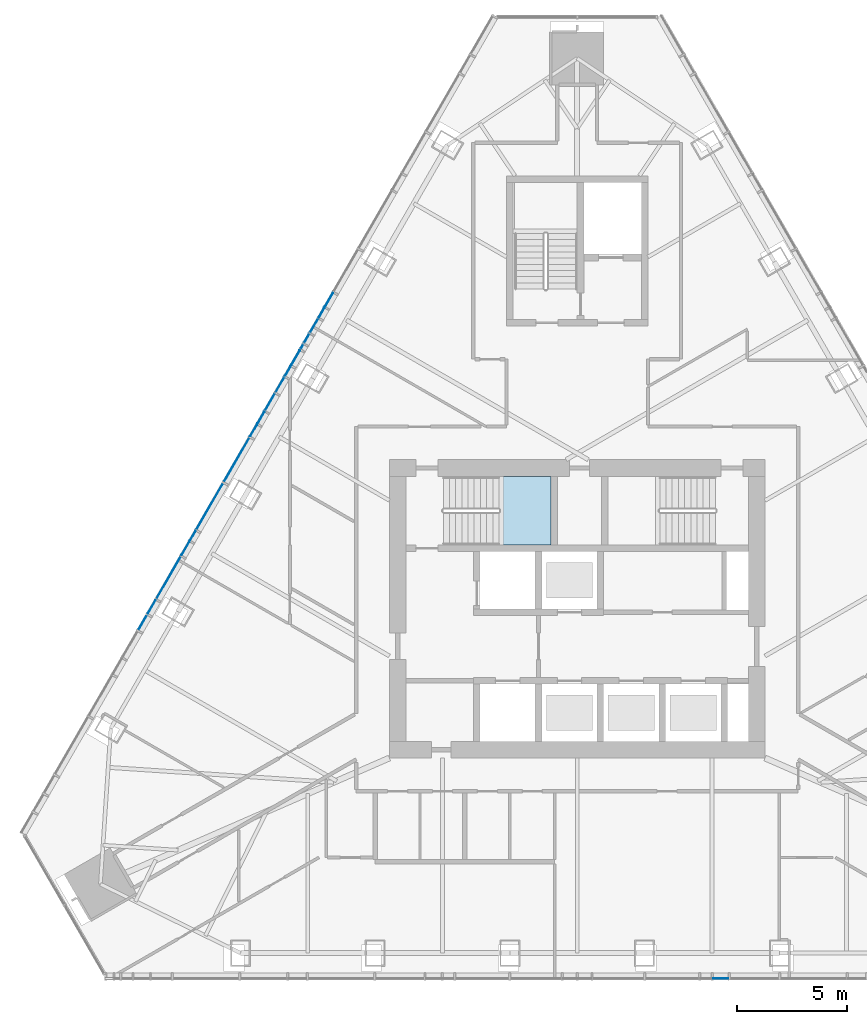
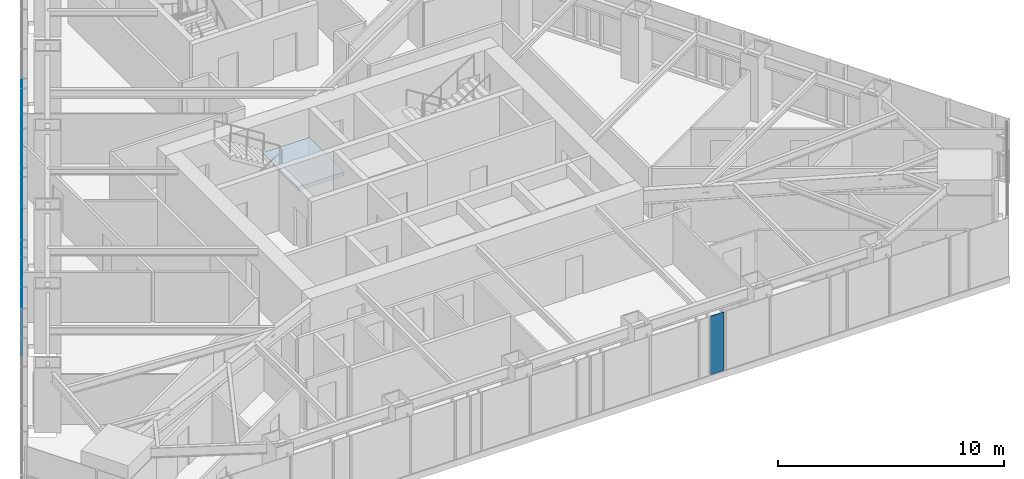
# One storey, part 10 of 18: 22 plates, 1 slab, 3 elements without a shape of their own.
"""IFC4 building model written with IfcOpenShell, lengths in metres."""

from ifc_helpers import new_model, si_unit, direction, frame, origin, place, context, subcontext, project, spatial, polyline, outline, extrude, material, layer, layer_set, type_object, element, aggregate, save


model = new_model("IFC4")

# Units and contexts
model_context = context("Model", 3, precision=1e-05, world=origin(), true_north=direction((0.0, 1.0)))
body_context = subcontext(model_context, "Body", "Model", "MODEL_VIEW")
ifc_project = project(units=[si_unit("LENGTHUNIT", "METRE"), si_unit("AREAUNIT", "SQUARE_METRE"), si_unit("VOLUMEUNIT", "CUBIC_METRE"), si_unit("PLANEANGLEUNIT", "RADIAN"), si_unit("MASSUNIT", "GRAM", prefix="KILO")], contexts=[model_context])

# Site, building, storey
site_placement = place(None, origin())
site = spatial("IfcSite", under=ifc_project, at=site_placement, CompositionType="ELEMENT")
building_placement = place(site_placement, origin())
building = spatial("IfcBuilding", under=site, at=building_placement, Name="Firuza Gate Tower and Library", CompositionType="ELEMENT")
storey_placement = place(building_placement, frame((0.0, 0.0, 298.60009765625)))
storey = spatial("IfcBuildingStorey", under=building, at=storey_placement, Name="L72", CompositionType="ELEMENT", Elevation=298.60009765625)

# Curtain wall, plate
ifc_material_1 = material(Name="Aluminium 6063-T6", Category="aluminium")
ifc_layer_1 = layer(ifc_material_1, 0.14990234375)
ifc_layer_set_1 = layer_set([ifc_layer_1], Name="Unitised curtain wall, residences")
curtain_wall_type = type_object("IfcCurtainWallType", Name="Unitised curtain wall, residences", PredefinedType="NOTDEFINED", material=ifc_layer_set_1)
placement = place(storey_placement, origin())
curtain_wall_1 = element("IfcCurtainWall", 1, at=placement, inside=storey, type_object=curtain_wall_type, Name="CW3 L72 S face", PredefinedType="NOTDEFINED")
ifc_material_2 = material(Name="Fritted glass", Category="glass")
ifc_layer_2 = layer(ifc_material_2, 0.030029296875)
ifc_layer_set_2 = layer_set([ifc_layer_2], Name="Fritted glass unit, residences")
plate_type_1 = type_object("IfcPlateType", Name="Fritted glass unit, residences", PredefinedType="CURTAIN_PANEL", material=ifc_layer_set_2)
plate_1_placement = place(storey_placement, frame((81.1484375, 58.2646484375, 0.14990234375), z_axis=(0.0, -1.0, 0.0), x_axis=(1.0, 0.0, 0.0)))
plate_1 = element("IfcPlate", 2, at=plate_1_placement, type_object=plate_type_1, Name="Glass unit", PredefinedType="CURTAIN_PANEL", context=body_context, shape_type="SweptSolid", body=[
    extrude(outline(polyline([(0.0, 0.0), (0.697509765625, 0.0), (0.697509765625, 3.14990234375), (0.0, 3.14990234375), (0.0, 0.0)])), origin(), (0.0, 0.0, -1.0), 0.030029296875),
])
aggregate(curtain_wall_1, [plate_1])

# Curtain wall, plates
curtain_wall_2 = element("IfcCurtainWall", 3, at=placement, inside=storey, type_object=curtain_wall_type, Name="CW3 L72 W face", PredefinedType="NOTDEFINED")
plate_2_placement = place(storey_placement, frame((63.929931640625, 89.29638671875, 0.14990234375), z_axis=(-0.865929081634, 0.500166797759, 0.0), x_axis=(-0.500166797759, -0.865929081634, 0.0)))
plate_2 = element("IfcPlate", 4, at=plate_2_placement, type_object=plate_type_1, Name="Glass unit", PredefinedType="CURTAIN_PANEL", context=body_context, shape_type="SweptSolid", body=[
    extrude(outline(polyline([(0.0, 0.0), (0.697521216298861, 0.0), (0.697521216298861, 3.14990234375), (0.0, 3.14990234375), (0.0, 0.0)])), origin(), (0.0, 0.0, -1.0), 0.030029296875),
])
plate_3_placement = place(storey_placement, frame((63.541015625, 88.623046875, 0.14990234375), z_axis=(-0.865985511038, 0.5000690899, 0.0), x_axis=(-0.5000690899, -0.865985511038, 0.0)))
plate_3 = element("IfcPlate", 5, at=plate_3_placement, type_object=plate_type_1, Name="Glass unit", PredefinedType="CURTAIN_PANEL", context=body_context, shape_type="SweptSolid", body=[
    extrude(outline(polyline([(0.0, 0.0), (0.48772557492790064, 0.0), (0.48772557492790064, 1.260009765625), (0.0, 1.260009765625), (0.0, 0.0)])), origin(), (0.0, 0.0, -1.0), 0.030029296875),
])
plate_4_placement = place(storey_placement, frame((62.4326171875, 86.703369140625, 0.14990234375), z_axis=(-0.866072877359, 0.499917764341, 0.0), x_axis=(-0.499917764341, -0.866072877359, 0.0)))
plate_4 = element("IfcPlate", 6, at=plate_4_placement, type_object=plate_type_1, Name="Glass unit", PredefinedType="CURTAIN_PANEL", context=body_context, shape_type="SweptSolid", body=[
    extrude(outline(polyline([(0.0, 0.0), (0.7574487973524394, 0.0), (0.7574487973524394, 1.260009765625), (0.0, 1.260009765625), (0.0, 0.0)])), origin(), (0.0, 0.0, -1.0), 0.030029296875),
])
plate_5_placement = place(storey_placement, frame((63.541015625, 88.623046875, 1.489990234375), z_axis=(-0.866017336907, 0.500013971981, 0.0), x_axis=(-0.500013971981, -0.866017336907, 0.0)))
plate_5 = element("IfcPlate", 7, at=plate_5_placement, type_object=plate_type_1, Name="Glass unit", PredefinedType="CURTAIN_PANEL", context=body_context, shape_type="SweptSolid", body=[
    extrude(outline(polyline([(0.0, 0.0), (1.2807259301941962, 0.0), (1.2807259301941962, 0.844970703125), (0.0, 0.844970703125), (0.0, 0.0)])), origin(), (0.0, 0.0, -1.0), 0.030029296875),
])
plate_6_placement = place(storey_placement, frame((63.541015625, 88.623046875, 2.414794921875), z_axis=(-0.865998750002, 0.500046162864, 0.0), x_axis=(-0.500046162864, -0.865998750002, 0.0)))
plate_6 = element("IfcPlate", 8, at=plate_6_placement, type_object=plate_type_1, Name="Glass unit", PredefinedType="CURTAIN_PANEL", context=body_context, shape_type="SweptSolid", body=[
    extrude(outline(polyline([(0.0, 0.0), (1.8279562326112422, 0.0), (1.8279562326112422, 0.885009765625), (0.0, 0.885009765625), (0.0, 0.0)])), origin(), (0.0, 0.0, -1.0), 0.030029296875),
])
plate_7_placement = place(storey_placement, frame((62.013916015625, 85.97802734375, 0.14990234375), z_axis=(-0.866119206493, 0.499837493736, 0.0), x_axis=(-0.499837493736, -0.866119206493, 0.0)))
plate_7 = element("IfcPlate", 9, at=plate_7_placement, type_object=plate_type_1, Name="Glass unit", PredefinedType="CURTAIN_PANEL", context=body_context, shape_type="SweptSolid", body=[
    extrude(outline(polyline([(0.0, 0.0), (0.4899053191166238, 0.0), (0.4899053191166238, 1.534912109375), (0.0, 1.534912109375), (0.0, 0.0)])), origin(), (0.0, 0.0, -1.0), 0.030029296875),
])
plate_8_placement = place(storey_placement, frame((60.8232421875, 83.91552734375, 0.14990234375), z_axis=(-0.865952303503, 0.500126592033, 0.0), x_axis=(-0.500126592033, -0.865952303503, 0.0)))
plate_8 = element("IfcPlate", 10, at=plate_8_placement, type_object=plate_type_1, Name="Glass unit", PredefinedType="CURTAIN_PANEL", context=body_context, shape_type="SweptSolid", body=[
    extrude(outline(polyline([(0.0, 0.0), (0.5926233946998352, 0.0), (0.5926233946998352, 1.534912109375), (0.0, 1.534912109375), (0.0, 0.0)])), origin(), (0.0, 0.0, -1.0), 0.030029296875),
])
plate_9_placement = place(storey_placement, frame((61.301025390625, 84.7431640625, 1.764892578125), z_axis=(-0.866012271747, 0.500022744667, 0.0), x_axis=(-0.500022744667, -0.866012271747, 0.0)))
plate_9 = element("IfcPlate", 11, at=plate_9_placement, type_object=plate_type_1, Name="Glass unit", PredefinedType="CURTAIN_PANEL", context=body_context, shape_type="SweptSolid", body=[
    extrude(outline(polyline([(0.0, 0.0), (1.548269414006665, 0.0), (1.548269414006665, 1.534912109375), (0.0, 1.534912109375), (0.0, 0.0)])), origin(), (0.0, 0.0, -1.0), 0.030029296875),
])
plate_10_placement = place(storey_placement, frame((60.48681640625, 83.3330078125, 0.14990234375), z_axis=(-0.865952303503, 0.500126592033, 0.0), x_axis=(-0.500126592033, -0.865952303503, 0.0)))
plate_10 = element("IfcPlate", 12, at=plate_10_placement, type_object=plate_type_1, Name="Glass unit", PredefinedType="CURTAIN_PANEL", context=body_context, shape_type="SweptSolid", body=[
    extrude(outline(polyline([(0.0, 0.0), (0.5926233946998352, 0.0), (0.5926233946998352, 3.14990234375), (0.0, 3.14990234375), (0.0, 0.0)])), origin(), (0.0, 0.0, -1.0), 0.030029296875),
])
plate_11_placement = place(storey_placement, frame((57.716552734375, 78.53466796875, 0.14990234375), z_axis=(-0.865985511038, 0.5000690899, 0.0), x_axis=(-0.5000690899, -0.865985511038, 0.0)))
plate_11 = element("IfcPlate", 13, at=plate_11_placement, type_object=plate_type_1, Name="Glass unit", PredefinedType="CURTAIN_PANEL", context=body_context, shape_type="SweptSolid", body=[
    extrude(outline(polyline([(0.0, 0.0), (0.48772557492790064, 0.0), (0.48772557492790064, 3.14990234375), (0.0, 3.14990234375), (0.0, 0.0)])), origin(), (0.0, 0.0, -1.0), 0.030029296875),
])
plate_12_placement = place(storey_placement, frame((57.4326171875, 78.04296875, 0.14990234375), z_axis=(-0.865929081634, 0.500166797759, 0.0), x_axis=(-0.500166797759, -0.865929081634, 0.0)))
plate_12 = element("IfcPlate", 14, at=plate_12_placement, type_object=plate_type_1, Name="Glass unit", PredefinedType="CURTAIN_PANEL", context=body_context, shape_type="SweptSolid", body=[
    extrude(outline(polyline([(0.0, 0.0), (0.697521216298861, 0.0), (0.697521216298861, 3.14990234375), (0.0, 3.14990234375), (0.0, 0.0)])), origin(), (0.0, 0.0, -1.0), 0.030029296875),
])
plate_13_placement = place(storey_placement, frame((55.905517578125, 75.39794921875, 0.14990234375), z_axis=(-0.866022890907, 0.500004352405, 0.0), x_axis=(-0.500004352405, -0.866022890907, 0.0)))
plate_13 = element("IfcPlate", 15, at=plate_13_placement, type_object=plate_type_1, Name="Glass unit", PredefinedType="CURTAIN_PANEL", context=body_context, shape_type="SweptSolid", body=[
    extrude(outline(polyline([(0.0, 0.0), (0.6997009404856375, 0.0), (0.6997009404856375, 1.534912109375), (0.0, 1.534912109375), (0.0, 0.0)])), origin(), (0.0, 0.0, -1.0), 0.030029296875),
])
ifc_material_3 = material(Name="Glazed ceramic tile")
ifc_layer_3 = layer(ifc_material_3, 0.030029296875)
ifc_layer_set_3 = layer_set([ifc_layer_3], Name="Opaque ceramic panel, residences")
plate_type_2 = type_object("IfcPlateType", Name="Opaque ceramic panel, residences", PredefinedType="CURTAIN_PANEL", material=ifc_layer_set_3)
plate_14_placement = place(storey_placement, frame((63.257080078125, 88.13134765625, 0.14990234375), z_axis=(-0.866022320763, 0.500005339912, 0.0), x_axis=(-0.500005339912, -0.866022320763, 0.0)))
plate_14 = element("IfcPlate", 16, at=plate_14_placement, type_object=plate_type_2, Name="Opaque ceramic panel", PredefinedType="CURTAIN_PANEL", context=body_context, shape_type="SweptSolid", body=[
    extrude(outline(polyline([(0.0, 0.0), (1.5688309014117572, 0.0), (1.5688309014117572, 1.260009765625), (0.0, 1.260009765625), (0.0, 0.0)])), origin(), (0.0, 0.0, -1.0), 0.030029296875),
])
plate_15_placement = place(storey_placement, frame((62.860595703125, 87.444580078125, 1.489990234375), z_axis=(-0.866036909293, 0.499980071345, 0.0), x_axis=(-0.499980071345, -0.866036909293, 0.0)))
plate_15 = element("IfcPlate", 17, at=plate_15_placement, type_object=plate_type_2, Name="Opaque ceramic panel", PredefinedType="CURTAIN_PANEL", context=body_context, shape_type="SweptSolid", body=[
    extrude(outline(polyline([(0.0, 0.0), (1.6133455536152277, 0.0), (1.6133455536152277, 0.844970703125), (0.0, 0.844970703125), (0.0, 0.0)])), origin(), (0.0, 0.0, -1.0), 0.030029296875),
])
plate_16_placement = place(storey_placement, frame((62.5869140625, 86.970703125, 2.414794921875), z_axis=(-0.866078818127, 0.49990747223, 0.0), x_axis=(-0.49990747223, -0.866078818127, 0.0)))
plate_16 = element("IfcPlate", 18, at=plate_16_placement, type_object=plate_type_2, Name="Opaque ceramic panel", PredefinedType="CURTAIN_PANEL", context=body_context, shape_type="SweptSolid", body=[
    extrude(outline(polyline([(0.0, 0.0), (1.06611525928593, 0.0), (1.06611525928593, 0.885009765625), (0.0, 0.885009765625), (0.0, 0.0)])), origin(), (0.0, 0.0, -1.0), 0.030029296875),
])
plate_17_placement = place(storey_placement, frame((61.72900390625, 85.484375, 0.14990234375), z_axis=(-0.865969558206, 0.500096714907, 0.0), x_axis=(-0.500096714907, -0.865969558206, 0.0)))
plate_17 = element("IfcPlate", 19, at=plate_17_placement, type_object=plate_type_2, Name="Opaque ceramic panel", PredefinedType="CURTAIN_PANEL", context=body_context, shape_type="SweptSolid", body=[
    extrude(outline(polyline([(0.0, 0.0), (1.73159865094615, 0.0), (1.73159865094615, 1.534912109375), (0.0, 1.534912109375), (0.0, 0.0)])), origin(), (0.0, 0.0, -1.0), 0.030029296875),
])
plate_18_placement = place(storey_placement, frame((62.013916015625, 85.97802734375, 1.764892578125), z_axis=(-0.866046626695, 0.499963239039, 0.0), x_axis=(-0.499963239039, -0.866046626695, 0.0)))
plate_18 = element("IfcPlate", 20, at=plate_18_placement, type_object=plate_type_2, Name="Opaque ceramic panel", PredefinedType="CURTAIN_PANEL", context=body_context, shape_type="SweptSolid", body=[
    extrude(outline(polyline([(0.0, 0.0), (1.3458020709553178, 0.0), (1.3458020709553178, 1.534912109375), (0.0, 1.534912109375), (0.0, 0.0)])), origin(), (0.0, 0.0, -1.0), 0.030029296875),
])
plate_19_placement = place(storey_placement, frame((60.150634765625, 82.75048828125, 0.14990234375), z_axis=(-0.866001867101, 0.500040764516, 0.0), x_axis=(-0.500040764516, -0.866001867101, 0.0)))
plate_19 = element("IfcPlate", 21, at=plate_19_placement, type_object=plate_type_2, Name="Opaque ceramic panel", PredefinedType="CURTAIN_PANEL", context=body_context, shape_type="SweptSolid", body=[
    extrude(outline(polyline([(0.0, 0.0), (2.3015701677100138, 0.0), (2.3015701677100138, 3.1499023437499996), (0.0, 3.1499023437499996), (0.0, 0.0)])), origin(), (0.0, 0.0, -1.0), 0.030029296875),
])
plate_20_placement = place(storey_placement, frame((58.959716796875, 80.68798828125, 0.14990234375), z_axis=(-0.866036909293, 0.499980071345, 0.0), x_axis=(-0.499980071345, -0.866036909293, 0.0)))
plate_20 = element("IfcPlate", 22, at=plate_20_placement, type_object=plate_type_2, Name="Opaque ceramic panel", PredefinedType="CURTAIN_PANEL", context=body_context, shape_type="SweptSolid", body=[
    extrude(outline(polyline([(0.0, 0.0), (2.40634591047695, 0.0), (2.40634591047695, 3.14990234375), (0.0, 3.14990234375), (0.0, 0.0)])), origin(), (0.0, 0.0, -1.0), 0.030029296875),
])
plate_21_placement = place(storey_placement, frame((57.0439453125, 77.36962890625, 0.14990234375), z_axis=(-0.86601160575, 0.500023898135, 0.0), x_axis=(-0.500023898135, -0.86601160575, 0.0)))
plate_21 = element("IfcPlate", 23, at=plate_21_placement, type_object=plate_type_2, Name="Opaque ceramic panel", PredefinedType="CURTAIN_PANEL", context=body_context, shape_type="SweptSolid", body=[
    extrude(outline(polyline([(0.0, 0.0), (2.1966723510044437, 0.0), (2.1966723510044437, 3.14990234375), (0.0, 3.14990234375), (0.0, 0.0)])), origin(), (0.0, 0.0, -1.0), 0.030029296875),
])
plate_22_placement = place(storey_placement, frame((55.905517578125, 75.39794921875, 1.764892578125), z_axis=(-0.866052319632, 0.499953377486, 0.0), x_axis=(-0.499953377486, -0.866052319632, 0.0)))
plate_22 = element("IfcPlate", 24, at=plate_22_placement, type_object=plate_type_2, Name="Opaque ceramic panel", PredefinedType="CURTAIN_PANEL", context=body_context, shape_type="SweptSolid", body=[
    extrude(outline(polyline([(0.0, 0.0), (1.5558091339649887, 0.0), (1.5558091339649887, 1.534912109375), (0.0, 1.534912109375), (0.0, 0.0)])), origin(), (0.0, 0.0, -1.0), 0.030029296875),
])
aggregate(curtain_wall_2, [plate_2, plate_3, plate_14, plate_4, plate_5, plate_15, plate_6, plate_16, plate_7, plate_17, plate_8, plate_18, plate_9, plate_10, plate_19, plate_20, plate_11, plate_12, plate_21, plate_13, plate_22])

# Stair, slab
ifc_material_4 = material(Name="Concrete C35/45", Category="concrete")
stair_type = type_object("IfcStairType", Name="Exit stair ST8", PredefinedType="HALF_TURN_STAIR", material=ifc_material_4)
stair = element("IfcStair", 25, at=placement, inside=storey, type_object=stair_type, Name="L72 Stair ST1", PredefinedType="HALF_TURN_STAIR")
ifc_material_5 = material(Name="Concrete C35/45", Category="concrete")
ifc_layer_4 = layer(ifc_material_5, 0.199951171875)
ifc_layer_set_4 = layer_set([ifc_layer_4], Name="Stair landing 200")
slab_type = type_object("IfcSlabType", Name="Stair landing 200", PredefinedType="LANDING", material=ifc_layer_set_4)
slab_placement = place(storey_placement, frame((0.0, 0.0, 1.5498046875)))
slab = element("IfcSlab", 26, at=slab_placement, type_object=slab_type, Name="ST1 landing 1", PredefinedType="LANDING", context=body_context, shape_type="SweptSolid", body=[
    extrude(outline(polyline([(71.4599609375, 77.89990234375), (73.81005859375, 77.89990234375), (73.81005859375, 80.97998046875), (71.4599609375, 80.97998046875), (71.4599609375, 77.89990234375)])), origin(), (0.0, 0.0, 1.0), 0.2001953125),
])
aggregate(stair, [slab])

save(model, "model.ifc")
